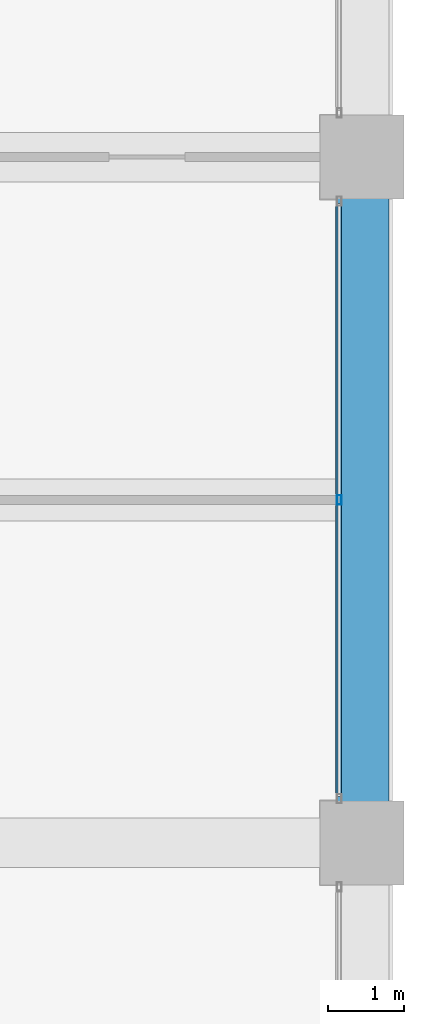
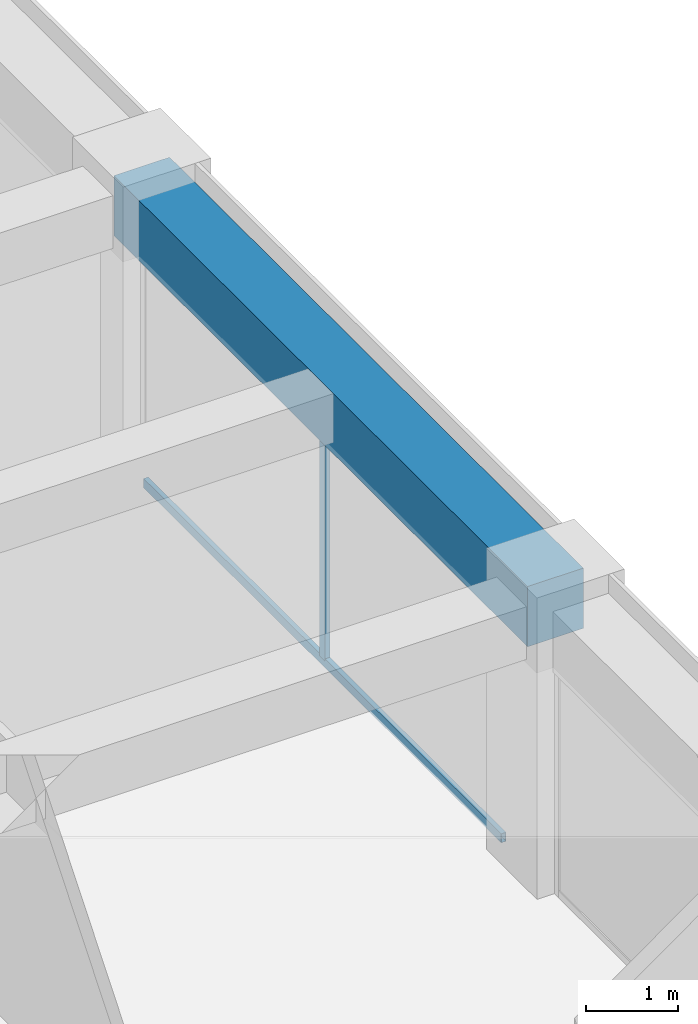
# One storey, part 25 of 45: 2 members, 1 beam, 1 element without a shape of its own.
"""IFC4 building model written with IfcOpenShell, lengths in metres."""

from ifc_helpers import new_model, si_unit, direction, frame, origin, origin_2d, place, context, subcontext, project, spatial, rectangle, hollow_rectangle, extrude, material, material_profile, profile_set, type_object, element, aggregate, save


model = new_model("IFC4")

# Units and contexts
model_context = context("Model", 3, precision=1e-05, world=origin(), true_north=direction((0.0, 1.0)))
body_context = subcontext(model_context, "Body", "Model", "MODEL_VIEW")
ifc_project = project(units=[si_unit("LENGTHUNIT", "METRE"), si_unit("AREAUNIT", "SQUARE_METRE"), si_unit("VOLUMEUNIT", "CUBIC_METRE"), si_unit("PLANEANGLEUNIT", "RADIAN"), si_unit("MASSUNIT", "GRAM", prefix="KILO")], contexts=[model_context])

# Site, building, storey
site_placement = place(None, origin())
site = spatial("IfcSite", under=ifc_project, at=site_placement, CompositionType="ELEMENT")
building_placement = place(site_placement, origin())
building = spatial("IfcBuilding", under=site, at=building_placement, Name="Zorevar Civic Tower", CompositionType="ELEMENT")
storey_placement = place(building_placement, frame((0.0, 0.0, 303.39990234375)))
storey = spatial("IfcBuildingStorey", under=building, at=storey_placement, Name="L74", CompositionType="ELEMENT", Elevation=303.39990234375)

# Curtain wall, members
ifc_material_1 = material(Name="Dark grey solar-control glass in black aluminium frame", Category="aluminium")
curtain_wall_type = type_object("IfcCurtainWallType", Name="Curtain wall CW5 top zone", PredefinedType="NOTDEFINED", material=ifc_material_1)
curtain_wall_placement = place(storey_placement, origin())
curtain_wall = element("IfcCurtainWall", 1, at=curtain_wall_placement, inside=storey, type_object=curtain_wall_type, Name="CW5 L74", PredefinedType="NOTDEFINED")
ifc_material_2 = material(Name="Aluminium, black anodised", Category="aluminium")
ifc_material_profile_1 = material_profile(ifc_material_2, hollow_rectangle(XDim=0.06005859375, YDim=0.1201171875, WallThickness=0.0029296875, at=origin_2d()), Name="AL 120x60x3")
ifc_profile_set_1 = profile_set([ifc_material_profile_1], Name="Aluminium, black anodised")
member_type_1 = type_object("IfcMemberType", Name="CW5 mullion AL 120x60x3", PredefinedType="MULLION", material=ifc_profile_set_1)
member_1_placement = place(storey_placement, frame((53.699951171875, 22.5, 0.06005859375), z_axis=(0.0, 0.0, 1.0), x_axis=(-1.0, 0.0, 0.0)))
member_1 = element("IfcMember", 2, at=member_1_placement, type_object=member_type_1, Name="CW5 mullion 2", PredefinedType="MULLION", context=body_context, shape_type="SweptSolid", body=[
    extrude(hollow_rectangle(XDim=0.06005859375, YDim=0.1201171875, WallThickness=0.0029296875, at=origin_2d()), origin(), (0.0, 0.0, 1.0), 2.89013671875),
])
ifc_material_3 = material(Name="Aluminium, black anodised", Category="aluminium")
ifc_material_profile_2 = material_profile(ifc_material_3, hollow_rectangle(XDim=0.06005859375, YDim=0.1201171875, WallThickness=0.0029296875, at=origin_2d()), Name="AL 120x60x3")
ifc_profile_set_2 = profile_set([ifc_material_profile_2], Name="Aluminium, black anodised")
member_type_2 = type_object("IfcMemberType", Name="CW5 transom AL 120x60x3", PredefinedType="USERDEFINED", material=ifc_profile_set_2)
member_2_placement = place(storey_placement, frame((53.699951171875, 18.610107421875, 0.030029296875), z_axis=(0.0, 1.0, 0.0), x_axis=(-1.0, 0.0, 0.0)))
member_2 = element("IfcMember", 3, at=member_2_placement, type_object=member_type_2, Name="CW5 sill transom", ObjectType="TRANSOM", PredefinedType="USERDEFINED", context=body_context, shape_type="SweptSolid", body=[
    extrude(hollow_rectangle(XDim=0.06005859375, YDim=0.1201171875, WallThickness=0.0029296875, at=origin_2d()), origin(), (0.0, 0.0, 1.0), 7.77978515625),
])
aggregate(curtain_wall, [member_1, member_2])

# Beam
ifc_material_4 = material(Name="Concrete C50/60", Category="concrete")
ifc_material_profile_3 = material_profile(ifc_material_4, rectangle(XDim=0.699951171875, YDim=0.800048828125, at=origin_2d()), Name="RC 700x800")
ifc_profile_set_3 = profile_set([ifc_material_profile_3], Name="Concrete C50/60")
beam_type = type_object("IfcBeamType", Name="Edge beam RC 700x800", PredefinedType="SPANDREL", material=ifc_profile_set_3)
beam_placement = place(storey_placement, frame((54.0, 18.0, 3.35009765625), z_axis=(0.0, 1.0, 0.0), x_axis=(-1.0, 0.0, 0.0)))
element("IfcBeam", 4, at=beam_placement, inside=storey, type_object=beam_type, Name="Edge beam L75", PredefinedType="SPANDREL", context=body_context, shape_type="SweptSolid", body=[
    extrude(rectangle(XDim=0.699951171875, YDim=0.800048828125, at=origin_2d()), origin(), (0.0, 0.0, 1.0), 9.0),
])

save(model, "model.ifc")
